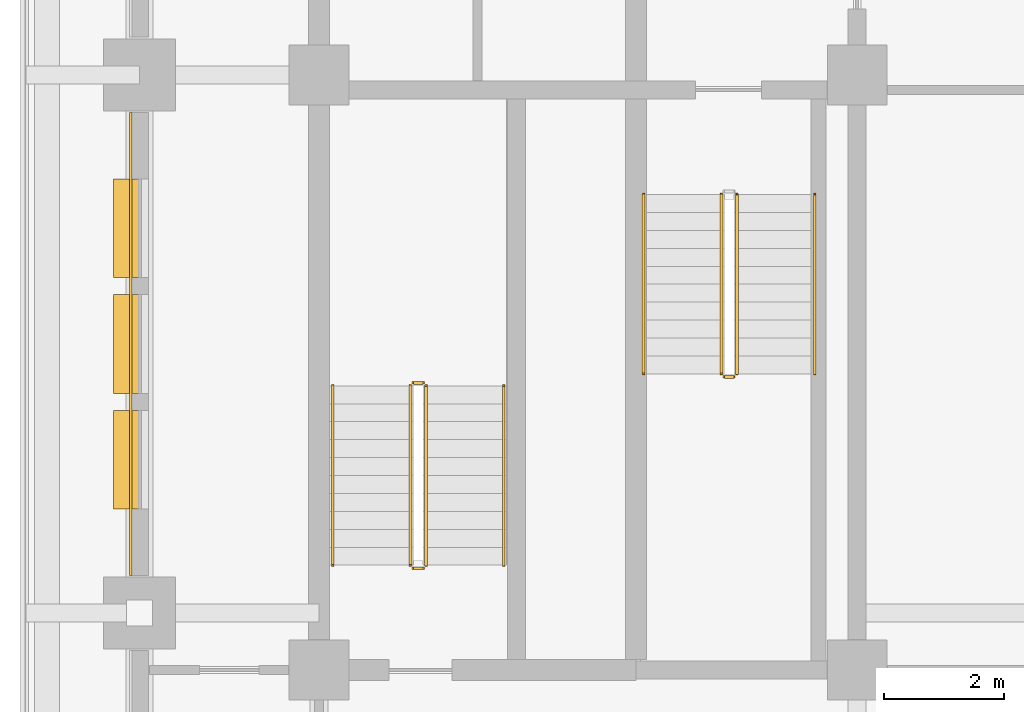
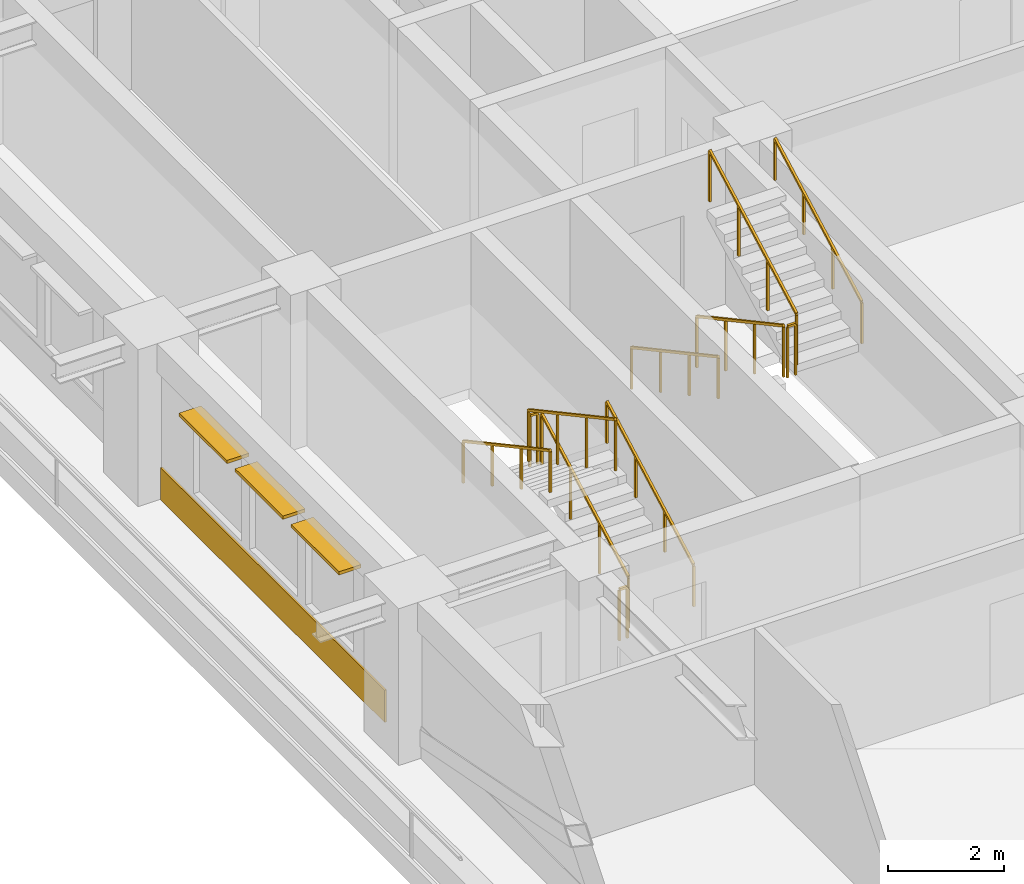
# One storey, part 9 of 14: 11 railings, 3 shading devices, 1 covering.
"""IFC4 building model written with IfcOpenShell, lengths in metres."""

from ifc_helpers import new_model, si_unit, direction, frame, frame_2d, origin, origin_2d, place, context, subcontext, project, spatial, rectangle, extrude, material, layer, layer_set, type_object, element, save


model = new_model("IFC4")

# Units and contexts
model_context = context("Model", 3, precision=1e-05, world=origin(), true_north=direction((0.0, 1.0)))
body_context = subcontext(model_context, "Body", "Model", "MODEL_VIEW")
ifc_project = project(units=[si_unit("LENGTHUNIT", "METRE"), si_unit("AREAUNIT", "SQUARE_METRE"), si_unit("VOLUMEUNIT", "CUBIC_METRE"), si_unit("PLANEANGLEUNIT", "RADIAN"), si_unit("MASSUNIT", "GRAM", prefix="KILO")], contexts=[model_context])

# Site, building, storey
site_placement = place(None, origin())
site = spatial("IfcSite", under=ifc_project, at=site_placement, CompositionType="ELEMENT")
building_placement = place(site_placement, origin())
building = spatial("IfcBuilding", under=site, at=building_placement, Name="Zulmaris Gate Convention Tower", CompositionType="ELEMENT")
storey_placement = place(building_placement, frame((0.0, 0.0, 94.929931640625)))
storey = spatial("IfcBuildingStorey", under=building, at=storey_placement, Name="L23", CompositionType="ELEMENT", Elevation=94.929931640625)

# Covering
ifc_material_1 = material(Name="Precast concrete C40/50", Category="concrete")
ifc_layer_1 = layer(ifc_material_1, 0.0400390625, Name="Precast concrete C40/50")
ifc_layer_set_1 = layer_set([ifc_layer_1], Name="Precast concrete C40/50")
covering_type = type_object("IfcCoveringType", Name="CLAD-SPANDREL-PRECAST", PredefinedType="CLADDING", material=ifc_layer_set_1)
covering_placement = place(storey_placement, frame((-23.14990234375, -0.6298828125, 0.0), z_axis=(0.0, 0.0, 1.0), x_axis=(0.0, -1.0, 0.0)))
element("IfcCovering", 1, at=covering_placement, inside=storey, type_object=covering_type, Name="CLD-L23-W-1_0", PredefinedType="CLADDING", context=body_context, shape_type="SweptSolid", body=[
    extrude(rectangle(XDim=7.740234375, YDim=0.0400390625, at=frame_2d((3.8701171875, 0.0))), origin(), (0.0, 0.0, 1.0), 0.679931640625),
])

# Railings
ifc_material_2 = material(Name="Painted Galvanised Steel", Category="steel")
railing_type_1 = type_object("IfcRailingType", Name="RL-STG-1150", PredefinedType="GUARDRAIL", material=ifc_material_2)
railing_1_placement = place(storey_placement, frame((-13.27001953125, -2.0, 0.162353515625)))
element("IfcRailing", 2, at=railing_1_placement, inside=storey, type_object=railing_type_1, Name="L23 ST-1 stair guard 1", PredefinedType="GUARDRAIL", context=body_context, shape_type="SweptSolid", body=[
    extrude(rectangle(XDim=0.048095703125, YDim=0.048095703125, at=origin_2d()), frame((0.0, 0.0, 1.076171875), z_axis=(0.0, -0.879591569277, 0.475729619907), x_axis=(1.0, 0.0, 0.0)), (0.0, 0.0, 1.0), 3.41064453125),
    extrude(rectangle(XDim=0.0419921875, YDim=0.0419921875, at=origin_2d()), origin(), (0.0, 0.0, 1.0), 1.052001953125),
    extrude(rectangle(XDim=0.0419921875, YDim=0.0419921875, at=origin_2d()), frame((0.0, -1.0, 0.540771484375)), (0.0, 0.0, 1.0), 1.052001953125),
    extrude(rectangle(XDim=0.0419921875, YDim=0.0419921875, at=origin_2d()), frame((0.0, -2.0, 1.081787109375)), (0.0, 0.0, 1.0), 1.052001953125),
    extrude(rectangle(XDim=0.0419921875, YDim=0.0419921875, at=origin_2d()), frame((0.0, -3.0, 1.62255859375)), (0.0, 0.0, 1.0), 1.052001953125),
])
railing_2_placement = place(storey_placement, frame((-13.219970703125, -5.050048828125, 1.784912109375)))
element("IfcRailing", 3, at=railing_2_placement, inside=storey, type_object=railing_type_1, Name="L23 ST-1 stair guard 2", PredefinedType="GUARDRAIL", context=body_context, shape_type="SweptSolid", body=[
    extrude(rectangle(XDim=0.048095703125, YDim=0.048095703125, at=origin_2d()), frame((0.0, 0.0, 1.076171875), z_axis=(1.0, 0.0, 0.0), x_axis=(0.0, 1.0, 0.0)), (0.0, 0.0, 1.0), 0.159912109375),
    extrude(rectangle(XDim=0.0419921875, YDim=0.0419921875, at=origin_2d()), origin(), (0.0, 0.0, 1.0), 1.052001953125),
    extrude(rectangle(XDim=0.0419921875, YDim=0.0419921875, at=origin_2d()), frame((0.159912109375, 0.0, 0.0)), (0.0, 0.0, 1.0), 1.052001953125),
])
railing_3_placement = place(storey_placement, frame((-13.010009765625, -5.0, 1.947265625)))
element("IfcRailing", 4, at=railing_3_placement, inside=storey, type_object=railing_type_1, Name="L23 ST-1 stair guard 3", PredefinedType="GUARDRAIL", context=body_context, shape_type="SweptSolid", body=[
    extrude(rectangle(XDim=0.048095703125, YDim=0.048095703125, at=origin_2d()), frame((0.0, 0.0, 1.076171875), z_axis=(0.0, 0.8795616155, 0.475784998228), x_axis=(-1.0, 0.0, 0.0)), (0.0, 0.0, 1.0), 3.410888671875),
    extrude(rectangle(XDim=0.0419921875, YDim=0.0419921875, at=origin_2d()), origin(), (0.0, 0.0, 1.0), 1.052001953125),
    extrude(rectangle(XDim=0.0419921875, YDim=0.0419921875, at=origin_2d()), frame((0.0, 1.0, 0.541015625)), (0.0, 0.0, 1.0), 1.052001953125),
    extrude(rectangle(XDim=0.0419921875, YDim=0.0419921875, at=origin_2d()), frame((0.0, 2.0, 1.081787109375)), (0.0, 0.0, 1.0), 1.052001953125),
    extrude(rectangle(XDim=0.0419921875, YDim=0.0419921875, at=origin_2d()), frame((0.0, 3.0, 1.622802734375)), (0.0, 0.0, 1.0), 1.052001953125),
])
railing_4_placement = place(storey_placement, frame((-18.2099609375, -8.199951171875, 0.162353515625)))
element("IfcRailing", 5, at=railing_4_placement, inside=storey, type_object=railing_type_1, Name="L23 ST-3 stair guard 1", PredefinedType="GUARDRAIL", context=body_context, shape_type="SweptSolid", body=[
    extrude(rectangle(XDim=0.048095703125, YDim=0.048095703125, at=origin_2d()), frame((0.0, 0.0, 1.076171875), z_axis=(0.0, 0.879591569277, 0.475729619907), x_axis=(-1.0, 0.0, 0.0)), (0.0, 0.0, 1.0), 3.41064453125),
    extrude(rectangle(XDim=0.0419921875, YDim=0.0419921875, at=origin_2d()), origin(), (0.0, 0.0, 1.0), 1.052001953125),
    extrude(rectangle(XDim=0.0419921875, YDim=0.0419921875, at=origin_2d()), frame((0.0, 1.0, 0.540771484375)), (0.0, 0.0, 1.0), 1.052001953125),
    extrude(rectangle(XDim=0.0419921875, YDim=0.0419921875, at=origin_2d()), frame((0.0, 2.0, 1.081787109375)), (0.0, 0.0, 1.0), 1.052001953125),
    extrude(rectangle(XDim=0.0419921875, YDim=0.0419921875, at=origin_2d()), frame((0.0, 3.0, 1.62255859375)), (0.0, 0.0, 1.0), 1.052001953125),
])
railing_5_placement = place(storey_placement, frame((-18.260009765625, -5.14990234375, 1.784912109375)))
element("IfcRailing", 6, at=railing_5_placement, inside=storey, type_object=railing_type_1, Name="L23 ST-3 stair guard 2", PredefinedType="GUARDRAIL", context=body_context, shape_type="SweptSolid", body=[
    extrude(rectangle(XDim=0.048095703125, YDim=0.048095703125, at=origin_2d()), frame((0.0, 0.0, 1.076171875), z_axis=(-1.0, 0.0, 0.0), x_axis=(0.0, -1.0, 0.0)), (0.0, 0.0, 1.0), 0.159912109375),
    extrude(rectangle(XDim=0.0419921875, YDim=0.0419921875, at=origin_2d()), origin(), (0.0, 0.0, 1.0), 1.052001953125),
    extrude(rectangle(XDim=0.0419921875, YDim=0.0419921875, at=origin_2d()), frame((-0.159912109375, 0.0, 0.0)), (0.0, 0.0, 1.0), 1.052001953125),
])
railing_6_placement = place(storey_placement, frame((-18.469970703125, -5.199951171875, 1.947265625)))
element("IfcRailing", 7, at=railing_6_placement, inside=storey, type_object=railing_type_1, Name="L23 ST-3 stair guard 3", PredefinedType="GUARDRAIL", context=body_context, shape_type="SweptSolid", body=[
    extrude(rectangle(XDim=0.048095703125, YDim=0.048095703125, at=origin_2d()), frame((0.0, 0.0, 1.076171875), z_axis=(0.0, -0.8795616155, 0.475784998228), x_axis=(1.0, 0.0, 0.0)), (0.0, 0.0, 1.0), 3.410888671875),
    extrude(rectangle(XDim=0.0419921875, YDim=0.0419921875, at=origin_2d()), origin(), (0.0, 0.0, 1.0), 1.052001953125),
    extrude(rectangle(XDim=0.0419921875, YDim=0.0419921875, at=origin_2d()), frame((0.0, -1.0, 0.541015625)), (0.0, 0.0, 1.0), 1.052001953125),
    extrude(rectangle(XDim=0.0419921875, YDim=0.0419921875, at=origin_2d()), frame((0.0, -2.0, 1.081787109375)), (0.0, 0.0, 1.0), 1.052001953125),
    extrude(rectangle(XDim=0.0419921875, YDim=0.0419921875, at=origin_2d()), frame((0.0, -3.0, 1.622802734375)), (0.0, 0.0, 1.0), 1.052001953125),
])
railing_7_placement = place(storey_placement, frame((-18.260009765625, -8.25, 0.0)))
element("IfcRailing", 8, at=railing_7_placement, inside=storey, type_object=railing_type_1, Name="L23 ST-3 stair guard 4", PredefinedType="GUARDRAIL", context=body_context, shape_type="SweptSolid", body=[
    extrude(rectangle(XDim=0.048095703125, YDim=0.048095703125, at=origin_2d()), frame((0.0, 0.0, 1.076171875), z_axis=(-1.0, 0.0, 0.0), x_axis=(0.0, -1.0, 0.0)), (0.0, 0.0, 1.0), 0.159912109375),
    extrude(rectangle(XDim=0.0419921875, YDim=0.0419921875, at=origin_2d()), origin(), (0.0, 0.0, 1.0), 1.052001953125),
    extrude(rectangle(XDim=0.0419921875, YDim=0.0419921875, at=origin_2d()), frame((-0.159912109375, 0.0, 0.0)), (0.0, 0.0, 1.0), 1.052001953125),
])
ifc_material_3 = material(Name="Brushed Stainless Steel", Category="steel")
railing_type_2 = type_object("IfcRailingType", Name="RL-STH-900", PredefinedType="HANDRAIL", material=ifc_material_3)
railing_8_placement = place(storey_placement, frame((-14.570068359375, -2.0, 0.162353515625)))
element("IfcRailing", 9, at=railing_8_placement, inside=storey, type_object=railing_type_2, Name="L23 ST-1 stair handrail 1", PredefinedType="HANDRAIL", context=body_context, shape_type="SweptSolid", body=[
    extrude(rectangle(XDim=0.048095703125, YDim=0.048095703125, at=origin_2d()), frame((0.0, 0.0, 0.8759765625), z_axis=(0.0, -0.879591569277, 0.475729619907), x_axis=(1.0, 0.0, 0.0)), (0.0, 0.0, 1.0), 3.41064453125),
    extrude(rectangle(XDim=0.0419921875, YDim=0.0419921875, at=origin_2d()), origin(), (0.0, 0.0, 1.0), 0.851806640625),
    extrude(rectangle(XDim=0.0419921875, YDim=0.0419921875, at=origin_2d()), frame((0.0, -1.0, 0.540771484375)), (0.0, 0.0, 1.0), 0.851806640625),
    extrude(rectangle(XDim=0.0419921875, YDim=0.0419921875, at=origin_2d()), frame((0.0, -2.0, 1.081787109375)), (0.0, 0.0, 1.0), 0.851806640625),
    extrude(rectangle(XDim=0.0419921875, YDim=0.0419921875, at=origin_2d()), frame((0.0, -3.0, 1.62255859375)), (0.0, 0.0, 1.0), 0.851806640625),
])
railing_9_placement = place(storey_placement, frame((-11.7099609375, -5.0, 1.947265625)))
element("IfcRailing", 10, at=railing_9_placement, inside=storey, type_object=railing_type_2, Name="L23 ST-1 stair handrail 2", PredefinedType="HANDRAIL", context=body_context, shape_type="SweptSolid", body=[
    extrude(rectangle(XDim=0.048095703125, YDim=0.048095703125, at=origin_2d()), frame((0.0, 0.0, 0.8759765625), z_axis=(0.0, 0.8795616155, 0.475784998228), x_axis=(-1.0, 0.0, 0.0)), (0.0, 0.0, 1.0), 3.410888671875),
    extrude(rectangle(XDim=0.0419921875, YDim=0.0419921875, at=origin_2d()), origin(), (0.0, 0.0, 1.0), 0.851806640625),
    extrude(rectangle(XDim=0.0419921875, YDim=0.0419921875, at=origin_2d()), frame((0.0, 1.0, 0.541015625)), (0.0, 0.0, 1.0), 0.851806640625),
    extrude(rectangle(XDim=0.0419921875, YDim=0.0419921875, at=origin_2d()), frame((0.0, 2.0, 1.081787109375)), (0.0, 0.0, 1.0), 0.851806640625),
    extrude(rectangle(XDim=0.0419921875, YDim=0.0419921875, at=origin_2d()), frame((0.0, 3.0, 1.622802734375)), (0.0, 0.0, 1.0), 0.851806640625),
])
railing_10_placement = place(storey_placement, frame((-16.909912109375, -8.199951171875, 0.162353515625)))
element("IfcRailing", 11, at=railing_10_placement, inside=storey, type_object=railing_type_2, Name="L23 ST-3 stair handrail 1", PredefinedType="HANDRAIL", context=body_context, shape_type="SweptSolid", body=[
    extrude(rectangle(XDim=0.048095703125, YDim=0.048095703125, at=origin_2d()), frame((0.0, 0.0, 0.8759765625), z_axis=(0.0, 0.879591569277, 0.475729619907), x_axis=(-1.0, 0.0, 0.0)), (0.0, 0.0, 1.0), 3.41064453125),
    extrude(rectangle(XDim=0.0419921875, YDim=0.0419921875, at=origin_2d()), origin(), (0.0, 0.0, 1.0), 0.851806640625),
    extrude(rectangle(XDim=0.0419921875, YDim=0.0419921875, at=origin_2d()), frame((0.0, 1.0, 0.540771484375)), (0.0, 0.0, 1.0), 0.851806640625),
    extrude(rectangle(XDim=0.0419921875, YDim=0.0419921875, at=origin_2d()), frame((0.0, 2.0, 1.081787109375)), (0.0, 0.0, 1.0), 0.851806640625),
    extrude(rectangle(XDim=0.0419921875, YDim=0.0419921875, at=origin_2d()), frame((0.0, 3.0, 1.62255859375)), (0.0, 0.0, 1.0), 0.851806640625),
])
railing_11_placement = place(storey_placement, frame((-19.77001953125, -5.199951171875, 1.947265625)))
element("IfcRailing", 12, at=railing_11_placement, inside=storey, type_object=railing_type_2, Name="L23 ST-3 stair handrail 2", PredefinedType="HANDRAIL", context=body_context, shape_type="SweptSolid", body=[
    extrude(rectangle(XDim=0.048095703125, YDim=0.048095703125, at=origin_2d()), frame((0.0, 0.0, 0.8759765625), z_axis=(0.0, -0.8795616155, 0.475784998228), x_axis=(1.0, 0.0, 0.0)), (0.0, 0.0, 1.0), 3.410888671875),
    extrude(rectangle(XDim=0.0419921875, YDim=0.0419921875, at=origin_2d()), origin(), (0.0, 0.0, 1.0), 0.851806640625),
    extrude(rectangle(XDim=0.0419921875, YDim=0.0419921875, at=origin_2d()), frame((0.0, -1.0, 0.541015625)), (0.0, 0.0, 1.0), 0.851806640625),
    extrude(rectangle(XDim=0.0419921875, YDim=0.0419921875, at=origin_2d()), frame((0.0, -2.0, 1.081787109375)), (0.0, 0.0, 1.0), 0.851806640625),
    extrude(rectangle(XDim=0.0419921875, YDim=0.0419921875, at=origin_2d()), frame((0.0, -3.0, 1.622802734375)), (0.0, 0.0, 1.0), 0.851806640625),
])

# Shading devices
ifc_material_4 = material(Name="Glazed Ceramic Terracotta", Category="masonry")
ifc_layer_2 = layer(ifc_material_4, 0.070068359375, Name="Glazed Ceramic Terracotta")
ifc_layer_set_2 = layer_set([ifc_layer_2], Name="Glazed Ceramic Terracotta")
shading_device_type = type_object("IfcShadingDeviceType", Name="SHD-SUNSHADE-TC", PredefinedType="AWNING", material=ifc_layer_set_2)
for number, where, z_axis, x_axis, name in (
    (13, (-23.219970703125, -1.739990234375, 2.530029296875), (0.0, 0.0, 1.0), (0.0, -1.0, 0.0), "SHD-EW-L23-W-1_0-1"),
    (14, (-23.219970703125, -3.675048828125, 2.530029296875), (0.0, 0.0, 1.0), (0.0, -1.0, 0.0), "SHD-EW-L23-W-1_0-2"),
    (15, (-23.219970703125, -5.610107421875, 2.530029296875), (0.0, 0.0, 1.0), (0.0, -1.0, 0.0), "SHD-EW-L23-W-1_0-3"),
):
    element("IfcShadingDevice", number, at=place(storey_placement, frame(where, z_axis=z_axis, x_axis=x_axis)), inside=storey, type_object=shading_device_type, Name=name, PredefinedType="AWNING", context=body_context, shape_type="SweptSolid", body=[
        extrude(rectangle(XDim=1.64990234375, YDim=0.43994140625, at=frame_2d((0.824951171875, 0.0))), origin(), (0.0, 0.0, 1.0), 0.06982421875),
    ])

save(model, "model.ifc")
